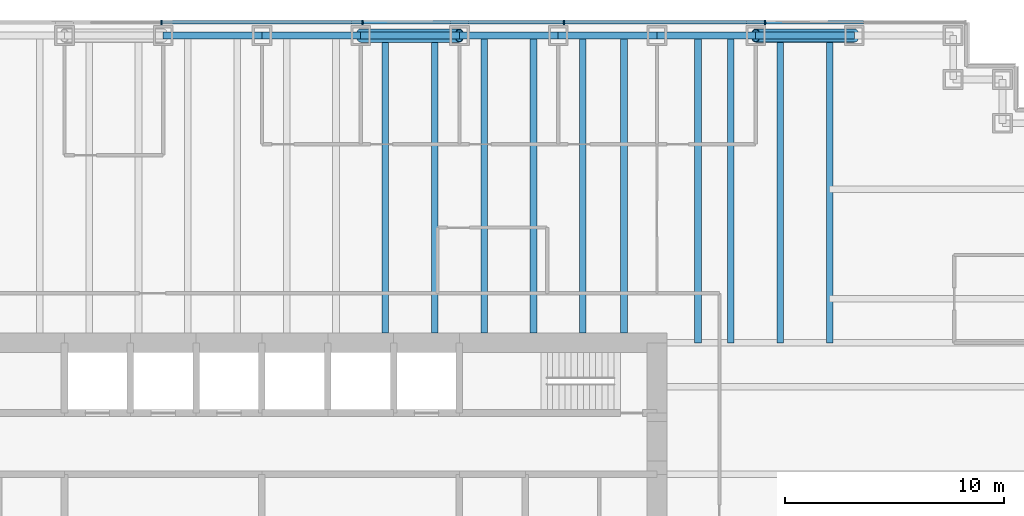
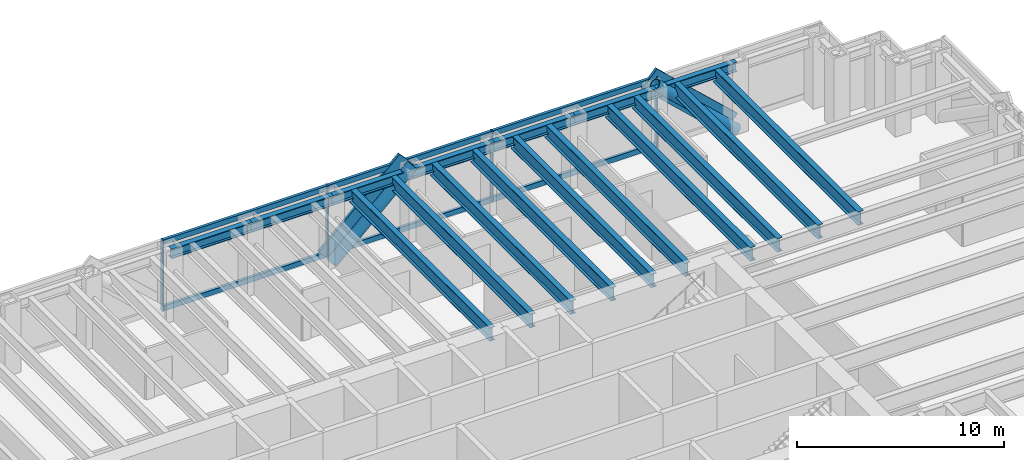
# One storey, part 7 of 17: 17 beams, 14 members, 1 element without a shape of its own.
"""IFC4 building model written with IfcOpenShell, lengths in metres."""

from ifc_helpers import new_model, si_unit, direction, frame, origin, origin_2d, place, context, subcontext, project, spatial, rectangle, hollow_circle, i_section, extrude, material, material_profile, profile_set, type_object, element, aggregate, save


model = new_model("IFC4")

# Units and contexts
model_context = context("Model", 3, precision=1e-05, world=origin(), true_north=direction((0.0, 1.0)))
body_context = subcontext(model_context, "Body", "Model", "MODEL_VIEW")
ifc_project = project(units=[si_unit("LENGTHUNIT", "METRE"), si_unit("AREAUNIT", "SQUARE_METRE"), si_unit("VOLUMEUNIT", "CUBIC_METRE"), si_unit("PLANEANGLEUNIT", "RADIAN"), si_unit("MASSUNIT", "GRAM", prefix="KILO")], contexts=[model_context])

# Site, building, storey
site_placement = place(None, origin())
site = spatial("IfcSite", under=ifc_project, at=site_placement, CompositionType="ELEMENT")
building_placement = place(site_placement, origin())
building = spatial("IfcBuilding", under=site, at=building_placement, Name="Rheinbord Bourse Tower", CompositionType="ELEMENT")
storey_placement = place(building_placement, frame((0.0, 0.0, 159.300048828125)))
storey = spatial("IfcBuildingStorey", under=building, at=storey_placement, Name="L35", CompositionType="ELEMENT", Elevation=159.300048828125)

# Curtain wall, members
ifc_material_1 = material(Name="Dark glass and black aluminium", Category="aluminium")
curtain_wall_type = type_object("IfcCurtainWallType", Name="CW2 DARK GLASS CURTAIN WALL", PredefinedType="USERDEFINED", material=ifc_material_1)
curtain_wall_placement = place(storey_placement, origin())
curtain_wall = element("IfcCurtainWall", 1, at=curtain_wall_placement, inside=storey, type_object=curtain_wall_type, Name="Curtain wall CW2 N L35", ObjectType="UNITISED CURTAIN WALL", PredefinedType="USERDEFINED")
ifc_material_2 = material(Name="Black anodised aluminium", Category="aluminium")
ifc_material_profile_1 = material_profile(ifc_material_2, rectangle(XDim=0.159912109375, YDim=1.2099609375, at=origin_2d()), Name="CW2 DIAGONAL MULLION 1210x160")
ifc_profile_set_1 = profile_set([ifc_material_profile_1], Name="Black anodised aluminium")
member_type_1 = type_object("IfcMemberType", Name="CW2 BLACK DIAGONAL MULLION", PredefinedType="USERDEFINED", material=ifc_profile_set_1)
member_1_placement = place(storey_placement, frame((40.5, 46.60009765625, 0.0), z_axis=(0.73105922506, 0.0, 0.682314010889), x_axis=(0.0, 1.0, 0.0)))
member_1 = element("IfcMember", 2, at=member_1_placement, type_object=member_type_1, Name="CW2 diagonal mullion a", ObjectType="DIAGONAL MULLION", PredefinedType="USERDEFINED", context=body_context, shape_type="SweptSolid", body=[
    extrude(rectangle(XDim=0.159912109375, YDim=1.2099609375, at=origin_2d()), origin(), (0.0, 0.0, 1.0), 6.155517578125),
])
member_2_placement = place(storey_placement, frame((63.0, 46.60009765625, 0.0), z_axis=(-0.73105922506, 0.0, 0.682314010889), x_axis=(0.0, -1.0, 0.0)))
member_2 = element("IfcMember", 3, at=member_2_placement, type_object=member_type_1, Name="CW2 diagonal mullion c", ObjectType="DIAGONAL MULLION", PredefinedType="USERDEFINED", context=body_context, shape_type="SweptSolid", body=[
    extrude(rectangle(XDim=0.159912109375, YDim=1.2099609375, at=origin_2d()), origin(), (0.0, 0.0, 1.0), 6.155517578125),
])
ifc_material_3 = material(Name="Black anodised aluminium", Category="aluminium")
ifc_material_profile_2 = material_profile(ifc_material_3, rectangle(XDim=0.219970703125, YDim=0.070068359375, at=origin_2d()), Name="CW2 MULLION 70x220")
ifc_profile_set_2 = profile_set([ifc_material_profile_2], Name="Black anodised aluminium")
member_type_2 = type_object("IfcMemberType", Name="CW2 BLACK MULLION", PredefinedType="MULLION", material=ifc_profile_set_2)
member_3_placement = place(storey_placement, frame((58.928466796875, 46.60009765625, 0.0), z_axis=(0.0, 0.0, 1.0), x_axis=(0.0, -1.0, 0.0)))
member_3 = element("IfcMember", 4, at=member_3_placement, type_object=member_type_2, Name="CW2 mullion 2", PredefinedType="MULLION", context=body_context, shape_type="SweptSolid", body=[
    extrude(rectangle(XDim=0.219970703125, YDim=0.070068359375, at=origin_2d()), origin(), (0.0, 0.0, 1.0), 4.199951171875),
])
member_4_placement = place(storey_placement, frame((49.757080078125, 46.60009765625, 0.0), z_axis=(0.0, 0.0, 1.0), x_axis=(0.0, -1.0, 0.0)))
member_4 = element("IfcMember", 5, at=member_4_placement, type_object=member_type_2, Name="CW2 mullion 3", PredefinedType="MULLION", context=body_context, shape_type="SweptSolid", body=[
    extrude(rectangle(XDim=0.219970703125, YDim=0.070068359375, at=origin_2d()), origin(), (0.0, 0.0, 1.0), 4.199951171875),
])
member_5_placement = place(storey_placement, frame((40.585693359375, 46.60009765625, 0.0), z_axis=(0.0, 0.0, 1.0), x_axis=(0.0, -1.0, 0.0)))
member_5 = element("IfcMember", 6, at=member_5_placement, type_object=member_type_2, Name="CW2 mullion 4", PredefinedType="MULLION", context=body_context, shape_type="SweptSolid", body=[
    extrude(rectangle(XDim=0.219970703125, YDim=0.070068359375, at=origin_2d()), origin(), (0.0, 0.0, 1.0), 4.199951171875),
])
member_6_placement = place(storey_placement, frame((31.414306640625, 46.60009765625, 0.0), z_axis=(0.0, 0.0, 1.0), x_axis=(0.0, -1.0, 0.0)))
member_6 = element("IfcMember", 7, at=member_6_placement, type_object=member_type_2, Name="CW2 mullion 5", PredefinedType="MULLION", context=body_context, shape_type="SweptSolid", body=[
    extrude(rectangle(XDim=0.219970703125, YDim=0.070068359375, at=origin_2d()), origin(), (0.0, 0.0, 1.0), 4.199951171875),
])
ifc_material_4 = material(Name="Black anodised aluminium", Category="aluminium")
ifc_material_profile_3 = material_profile(ifc_material_4, rectangle(XDim=0.159912109375, YDim=0.300048828125, at=origin_2d()), Name="CW2 TRANSOM 300x160")
ifc_profile_set_3 = profile_set([ifc_material_profile_3], Name="Black anodised aluminium")
member_type_3 = type_object("IfcMemberType", Name="CW2 BLACK TRANSOM", PredefinedType="USERDEFINED", material=ifc_profile_set_3)
member_7_placement = place(storey_placement, frame((58.8935546875, 46.60009765625, 0.14990234375), z_axis=(-1.0, 0.0, 0.0), x_axis=(0.0, -1.0, 0.0)))
member_7 = element("IfcMember", 8, at=member_7_placement, type_object=member_type_3, Name="CW2 transom 2.1", ObjectType="TRANSOM", PredefinedType="USERDEFINED", context=body_context, shape_type="SweptSolid", body=[
    extrude(rectangle(XDim=0.159912109375, YDim=0.300048828125, at=origin_2d()), origin(), (0.0, 0.0, 1.0), 9.101318359375),
])
member_8_placement = place(storey_placement, frame((58.8935546875, 46.60009765625, 4.050048828125), z_axis=(-1.0, 0.0, 0.0), x_axis=(0.0, -1.0, 0.0)))
member_8 = element("IfcMember", 9, at=member_8_placement, type_object=member_type_3, Name="CW2 transom 2.2", ObjectType="TRANSOM", PredefinedType="USERDEFINED", context=body_context, shape_type="SweptSolid", body=[
    extrude(rectangle(XDim=0.159912109375, YDim=0.300048828125, at=origin_2d()), origin(), (0.0, 0.0, 1.0), 9.101318359375),
])
member_9_placement = place(storey_placement, frame((49.72216796875, 46.60009765625, 0.14990234375), z_axis=(-1.0, 0.0, 0.0), x_axis=(0.0, -1.0, 0.0)))
member_9 = element("IfcMember", 10, at=member_9_placement, type_object=member_type_3, Name="CW2 transom 3.1", ObjectType="TRANSOM", PredefinedType="USERDEFINED", context=body_context, shape_type="SweptSolid", body=[
    extrude(rectangle(XDim=0.159912109375, YDim=0.300048828125, at=origin_2d()), origin(), (0.0, 0.0, 1.0), 9.1015625),
])
member_10_placement = place(storey_placement, frame((49.72216796875, 46.60009765625, 4.050048828125), z_axis=(-1.0, 0.0, 0.0), x_axis=(0.0, -1.0, 0.0)))
member_10 = element("IfcMember", 11, at=member_10_placement, type_object=member_type_3, Name="CW2 transom 3.2", ObjectType="TRANSOM", PredefinedType="USERDEFINED", context=body_context, shape_type="SweptSolid", body=[
    extrude(rectangle(XDim=0.159912109375, YDim=0.300048828125, at=origin_2d()), origin(), (0.0, 0.0, 1.0), 9.1015625),
])
member_11_placement = place(storey_placement, frame((40.55078125, 46.60009765625, 0.14990234375), z_axis=(-1.0, 0.0, 0.0), x_axis=(0.0, -1.0, 0.0)))
member_11 = element("IfcMember", 12, at=member_11_placement, type_object=member_type_3, Name="CW2 transom 4.1", ObjectType="TRANSOM", PredefinedType="USERDEFINED", context=body_context, shape_type="SweptSolid", body=[
    extrude(rectangle(XDim=0.159912109375, YDim=0.300048828125, at=origin_2d()), origin(), (0.0, 0.0, 1.0), 9.1015625),
])
member_12_placement = place(storey_placement, frame((40.55078125, 46.60009765625, 4.050048828125), z_axis=(-1.0, 0.0, 0.0), x_axis=(0.0, -1.0, 0.0)))
member_12 = element("IfcMember", 13, at=member_12_placement, type_object=member_type_3, Name="CW2 transom 4.2", ObjectType="TRANSOM", PredefinedType="USERDEFINED", context=body_context, shape_type="SweptSolid", body=[
    extrude(rectangle(XDim=0.159912109375, YDim=0.300048828125, at=origin_2d()), origin(), (0.0, 0.0, 1.0), 9.1015625),
])
aggregate(curtain_wall, [member_3, member_4, member_5, member_6, member_7, member_8, member_9, member_10, member_11, member_12, member_1, member_2])

# Beams
ifc_material_5 = material(Name="Steel S460", Category="steel")
ifc_material_profile_4 = material_profile(ifc_material_5, i_section(OverallWidth=0.300048828125, OverallDepth=0.800048828125, WebThickness=0.017578125, FlangeThickness=0.032958984375, at=origin_2d()), Name="HEB 800")
ifc_profile_set_4 = profile_set([ifc_material_profile_4], Name="Steel S460")
beam_type_1 = type_object("IfcBeamType", Name="FLOOR BEAM HEB 800", PredefinedType="BEAM", material=ifc_profile_set_4)
for number, where, z_axis, x_axis, name in (
    (14, (41.625, 46.0, 3.639892578125), (0.0, -1.0, 0.0), (1.0, 0.0, 0.0), "Floor beam N-40.5a L36"),
    (15, (43.875, 46.0, 3.639892578125), (0.0, -1.0, 0.0), (1.0, 0.0, 0.0), "Floor beam N-40.5b L36"),
    (16, (46.125, 46.0, 3.639892578125), (0.0, -1.0, 0.0), (1.0, 0.0, 0.0), "Floor beam N-45a L36"),
    (17, (48.375, 46.0, 3.639892578125), (0.0, -1.0, 0.0), (1.0, 0.0, 0.0), "Floor beam N-45b L36"),
    (18, (50.625, 46.0, 3.639892578125), (0.0, -1.0, 0.0), (1.0, 0.0, 0.0), "Floor beam N-49.5a L36"),
    (19, (52.5, 46.0, 3.639892578125), (0.0, -1.0, 0.0), (1.0, 0.0, 0.0), "Floor beam N-49.5b L36"),
):
    element("IfcBeam", number, at=place(storey_placement, frame(where, z_axis=z_axis, x_axis=x_axis)), inside=storey, type_object=beam_type_1, Name=name, PredefinedType="BEAM", context=body_context, shape_type="SweptSolid", body=[
        extrude(i_section(OverallWidth=0.300048828125, OverallDepth=0.800048828125, WebThickness=0.017578125, FlangeThickness=0.032958984375, at=origin_2d()), origin(), (0.0, 0.0, 1.0), 13.550048828125),
    ])
for number, where, z_axis, x_axis, name in (
    (20, (55.875, 46.0, 3.639892578125), (0.0, -1.0, 0.0), (1.0, 0.0, 0.0), "Floor beam N-54a L36"),
    (21, (57.375, 46.0, 3.639892578125), (0.0, -1.0, 0.0), (1.0, 0.0, 0.0), "Floor beam N-54b L36"),
    (22, (59.625, 46.0, 3.639892578125), (0.0, -1.0, 0.0), (1.0, 0.0, 0.0), "Floor beam N-58.5a L36"),
    (23, (61.875, 46.0, 3.639892578125), (0.0, -1.0, 0.0), (1.0, 0.0, 0.0), "Floor beam N-58.5b L36"),
):
    element("IfcBeam", number, at=place(storey_placement, frame(where, z_axis=z_axis, x_axis=x_axis)), inside=storey, type_object=beam_type_1, Name=name, PredefinedType="BEAM", context=body_context, shape_type="SweptSolid", body=[
        extrude(i_section(OverallWidth=0.300048828125, OverallDepth=0.800048828125, WebThickness=0.017578125, FlangeThickness=0.032958984375, at=origin_2d()), origin(), (0.0, 0.0, 1.0), 14.0),
    ])

# Members
ifc_material_6 = material(Name="Steel S460", Category="steel")
ifc_material_profile_5 = material_profile(ifc_material_6, hollow_circle(Radius=0.304931640625, WallThickness=0.0400390625, at=origin_2d()), Name="CHS 610x40")
ifc_profile_set_5 = profile_set([ifc_material_profile_5], Name="Steel S460")
member_type_4 = type_object("IfcMemberType", Name="MEGABRACE CHS 610x40", PredefinedType="BRACE", material=ifc_profile_set_5)
for number, where, z_axis, x_axis, name in (
    (24, (40.5, 46.0, 0.0), (0.73105922506, 0.0, 0.682314010889), (0.0, 1.0, 0.0), "Megabrace N face line a L35"),
    (25, (63.0, 46.0, 0.0), (-0.73105922506, 0.0, 0.682314010889), (0.0, -1.0, 0.0), "Megabrace N face line c L35"),
):
    element("IfcMember", number, at=place(storey_placement, frame(where, z_axis=z_axis, x_axis=x_axis)), inside=storey, type_object=member_type_4, Name=name, PredefinedType="BRACE", context=body_context, shape_type="SweptSolid", body=[
        extrude(hollow_circle(Radius=0.304931640625, WallThickness=0.0400390625, at=origin_2d()), origin(), (0.0, 0.0, 1.0), 6.155517578125),
    ])

# Beams
ifc_material_7 = material(Name="Steel S460", Category="steel")
ifc_material_profile_6 = material_profile(ifc_material_7, i_section(OverallWidth=0.305908203125, OverallDepth=0.572021484375, WebThickness=0.02099609375, FlangeThickness=0.0400390625, at=origin_2d()), Name="HEM 550")
ifc_profile_set_6 = profile_set([ifc_material_profile_6], Name="Steel S460")
beam_type_2 = type_object("IfcBeamType", Name="SPANDREL HEM 550", PredefinedType="SPANDREL", material=ifc_profile_set_6)
for number, where, z_axis, x_axis, name in (
    (26, (63.0, 46.0, 3.75390625), (-1.0, 0.0, 0.0), (0.0, -1.0, 0.0), "Spandrel N-63-N-58.5 under L36"),
    (27, (58.5, 46.0, 3.75390625), (-1.0, 0.0, 0.0), (0.0, -1.0, 0.0), "Spandrel N-58.5-N-54 under L36"),
    (28, (54.0, 46.0, 3.75390625), (-1.0, 0.0, 0.0), (0.0, -1.0, 0.0), "Spandrel N-54-N-49.5 under L36"),
    (29, (49.5, 46.0, 3.75390625), (-1.0, 0.0, 0.0), (0.0, -1.0, 0.0), "Spandrel N-49.5-N-45 under L36"),
    (30, (45.0, 46.0, 3.75390625), (-1.0, 0.0, 0.0), (0.0, -1.0, 0.0), "Spandrel N-45-N-40.5 under L36"),
    (31, (40.5, 46.0, 3.75390625), (-1.0, 0.0, 0.0), (0.0, -1.0, 0.0), "Spandrel N-40.5-N-36 under L36"),
    (32, (36.0, 46.0, 3.75390625), (-1.0, 0.0, 0.0), (0.0, -1.0, 0.0), "Spandrel N-36-N-31.5 under L36"),
):
    element("IfcBeam", number, at=place(storey_placement, frame(where, z_axis=z_axis, x_axis=x_axis)), inside=storey, type_object=beam_type_2, Name=name, PredefinedType="SPANDREL", context=body_context, shape_type="SweptSolid", body=[
        extrude(i_section(OverallWidth=0.305908203125, OverallDepth=0.572021484375, WebThickness=0.02099609375, FlangeThickness=0.0400390625, at=origin_2d()), origin(), (0.0, 0.0, 1.0), 4.5),
    ])

save(model, "model.ifc")
